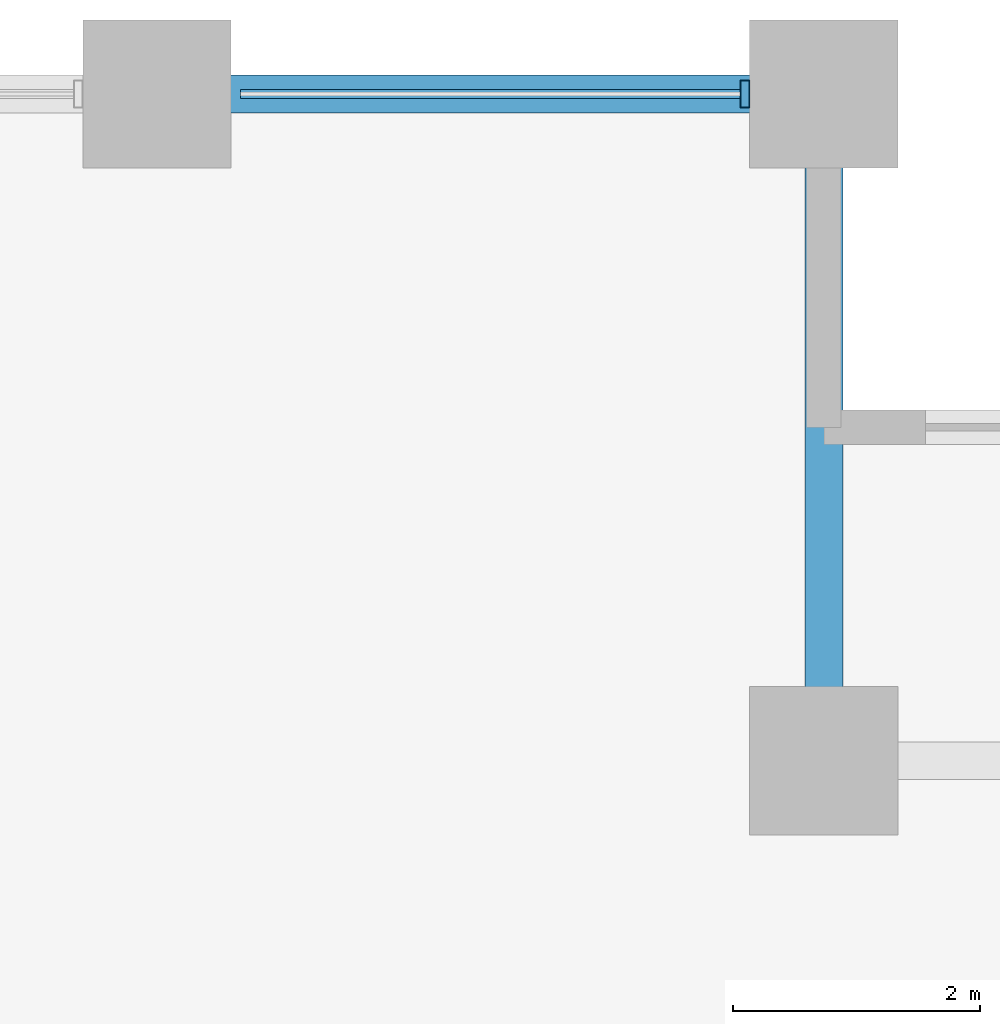
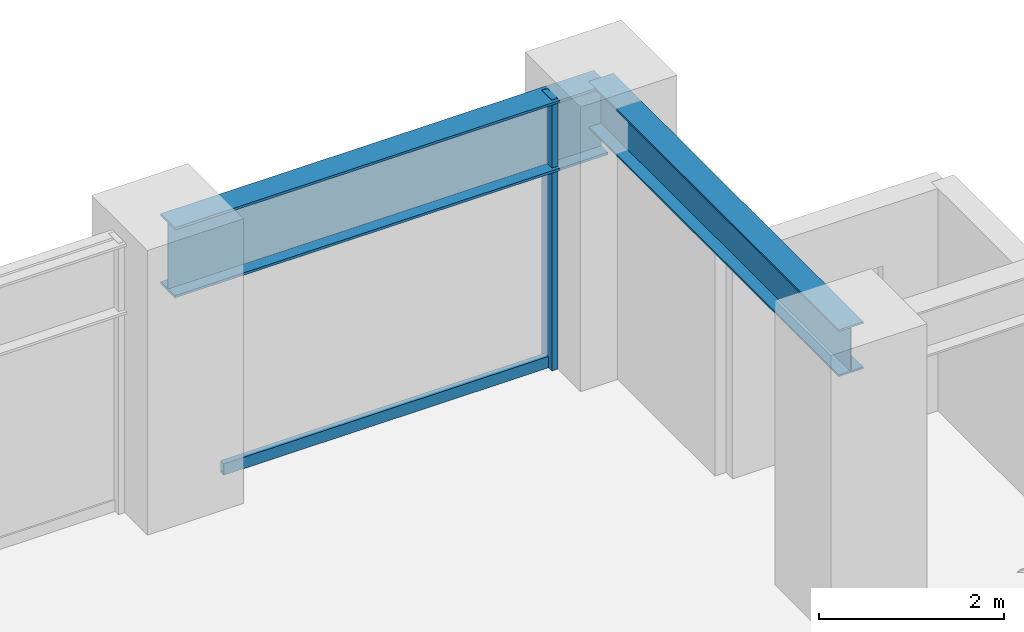
# One storey, part 16 of 26: 2 beams, 2 members, 1 element without a shape of its own.
"""IFC4 building model written with IfcOpenShell, lengths in metres."""

from ifc_helpers import new_model, si_unit, direction, frame, origin, origin_2d, place, context, subcontext, project, spatial, hollow_rectangle, i_section, extrude, material, layer, layer_set, material_profile, profile_set, type_object, element, aggregate, save


model = new_model("IFC4")

# Units and contexts
model_context = context("Model", 3, precision=1e-05, world=origin(), true_north=direction((0.0, 1.0)))
body_context = subcontext(model_context, "Body", "Model", "MODEL_VIEW")
ifc_project = project(units=[si_unit("LENGTHUNIT", "METRE"), si_unit("AREAUNIT", "SQUARE_METRE"), si_unit("VOLUMEUNIT", "CUBIC_METRE"), si_unit("PLANEANGLEUNIT", "RADIAN"), si_unit("MASSUNIT", "GRAM", prefix="KILO")], contexts=[model_context])

# Site, building, storey
site_placement = place(None, origin())
site = spatial("IfcSite", under=ifc_project, at=site_placement, CompositionType="ELEMENT")
building_placement = place(site_placement, origin())
building = spatial("IfcBuilding", under=site, at=building_placement, Name="Surkhivell Harbour Commons", CompositionType="ELEMENT")
storey_placement = place(building_placement, frame((0.0, 0.0, 60.0)))
storey = spatial("IfcBuildingStorey", under=building, at=storey_placement, Name="L15", CompositionType="ELEMENT", Elevation=60.0)

# Beams
ifc_material_1 = material(Name="Steel S355", Category="steel")
ifc_material_profile_1 = material_profile(ifc_material_1, i_section(OverallWidth=0.306884765625, OverallDepth=0.6201171875, WebThickness=0.01416015625, FlangeThickness=0.023681640625, at=origin_2d()), Name="UB610x305x179")
ifc_profile_set_1 = profile_set([ifc_material_profile_1], Name="Steel S355")
beam_type_1 = type_object("IfcBeamType", Name="BM-GRD-610A", PredefinedType="BEAM", material=ifc_profile_set_1)
beam_1_placement = place(storey_placement, frame((27.0, 20.5, 3.260009765625), z_axis=(0.0, 1.0, 0.0), x_axis=(-1.0, 0.0, 0.0)))
element("IfcBeam", 1, at=beam_1_placement, inside=storey, type_object=beam_type_1, Name="L15 Floor Girder (27.0,20.5)", PredefinedType="BEAM", context=body_context, shape_type="SweptSolid", body=[
    extrude(i_section(OverallWidth=0.306884765625, OverallDepth=0.6201171875, WebThickness=0.01416015625, FlangeThickness=0.023681640625, at=origin_2d()), origin(), (0.0, 0.0, 1.0), 5.39990234375),
])
ifc_material_2 = material(Name="Steel S460", Category="steel")
ifc_material_profile_2 = material_profile(ifc_material_2, i_section(OverallWidth=0.30810546875, OverallDepth=0.927001953125, WebThickness=0.01953125, FlangeThickness=0.031982421875, at=origin_2d()), Name="UB914x305x289")
ifc_profile_set_2 = profile_set([ifc_material_profile_2], Name="Steel S460")
beam_type_2 = type_object("IfcBeamType", Name="BM-SPN-914B", PredefinedType="SPANDREL", material=ifc_profile_set_2)
beam_2_placement = place(storey_placement, frame((21.60009765625, 25.89990234375, 3.1064453125), z_axis=(1.0, 0.0, 0.0), x_axis=(0.0, 1.0, 0.0)))
element("IfcBeam", 2, at=beam_2_placement, inside=storey, type_object=beam_type_2, Name="L15 Tube Spandrel (21.6,25.9)", PredefinedType="SPANDREL", context=body_context, shape_type="SweptSolid", body=[
    extrude(i_section(OverallWidth=0.30810546875, OverallDepth=0.927001953125, WebThickness=0.01953125, FlangeThickness=0.031982421875, at=origin_2d()), origin(), (0.0, 0.0, 1.0), 5.39990234375),
])

# Curtain wall, members
ifc_material_3 = material(Name="Anodised pale-metal aluminium and insulated glazing", Category="aluminium")
ifc_layer = layer(ifc_material_3, 0.219970703125)
ifc_layer_set = layer_set([ifc_layer], Name="Anodised pale-metal aluminium and insulated glazing")
curtain_wall_type = type_object("IfcCurtainWallType", Name="CW-SYS-Z1", PredefinedType="NOTDEFINED", material=ifc_layer_set)
curtain_wall_placement = place(storey_placement, origin())
curtain_wall = element("IfcCurtainWall", 3, at=curtain_wall_placement, inside=storey, type_object=curtain_wall_type, Name="L15 Curtain Wall CW-L15-E07S1", PredefinedType="NOTDEFINED")
ifc_material_4 = material(Name="Anodised pale-metal aluminium alloy 6063-T6", Category="aluminium")
ifc_material_profile_3 = material_profile(ifc_material_4, hollow_rectangle(XDim=0.074951171875, YDim=0.219970703125, WallThickness=0.00390625, at=origin_2d()), Name="ALU-MULL-75x220")
ifc_profile_set_3 = profile_set([ifc_material_profile_3], Name="Anodised pale-metal aluminium alloy 6063-T6")
member_type_1 = type_object("IfcMemberType", Name="CWM-220", PredefinedType="MULLION", material=ifc_profile_set_3)
member_1_placement = place(storey_placement, frame((26.360595703125, 25.89990234375, 0.0), z_axis=(0.0, 0.0, 1.0), x_axis=(-1.0, 0.0, 0.0)))
member_1 = element("IfcMember", 4, at=member_1_placement, type_object=member_type_1, Name="CW-Z1 mullion 1", PredefinedType="MULLION", context=body_context, shape_type="SweptSolid", body=[
    extrude(hollow_rectangle(XDim=0.074951171875, YDim=0.219970703125, WallThickness=0.00390625, at=origin_2d()), origin(), (0.0, 0.0, 1.0), 3.570068359375),
])
ifc_material_profile_4 = material_profile(ifc_material_4, hollow_rectangle(XDim=0.074951171875, YDim=0.14990234375, WallThickness=0.00341796875, at=origin_2d()), Name="ALU-TRAN-75x150")
ifc_profile_set_4 = profile_set([ifc_material_profile_4], Name="Anodised pale-metal aluminium alloy 6063-T6")
member_type_2 = type_object("IfcMemberType", Name="CWT-150", PredefinedType="USERDEFINED", material=ifc_profile_set_4)
member_2_placement = place(storey_placement, frame((26.322998046875, 25.89990234375, 0.074951171875), z_axis=(-1.0, 0.0, 0.0), x_axis=(0.0, -1.0, 0.0)))
member_2 = element("IfcMember", 5, at=member_2_placement, type_object=member_type_2, Name="CW-Z1 transom 1.1", ObjectType="TRANSOM", PredefinedType="USERDEFINED", context=body_context, shape_type="SweptSolid", body=[
    extrude(hollow_rectangle(XDim=0.074951171875, YDim=0.14990234375, WallThickness=0.00341796875, at=origin_2d()), origin(), (0.0, 0.0, 1.0), 4.0458984375),
])
aggregate(curtain_wall, [member_1, member_2])

save(model, "model.ifc")
